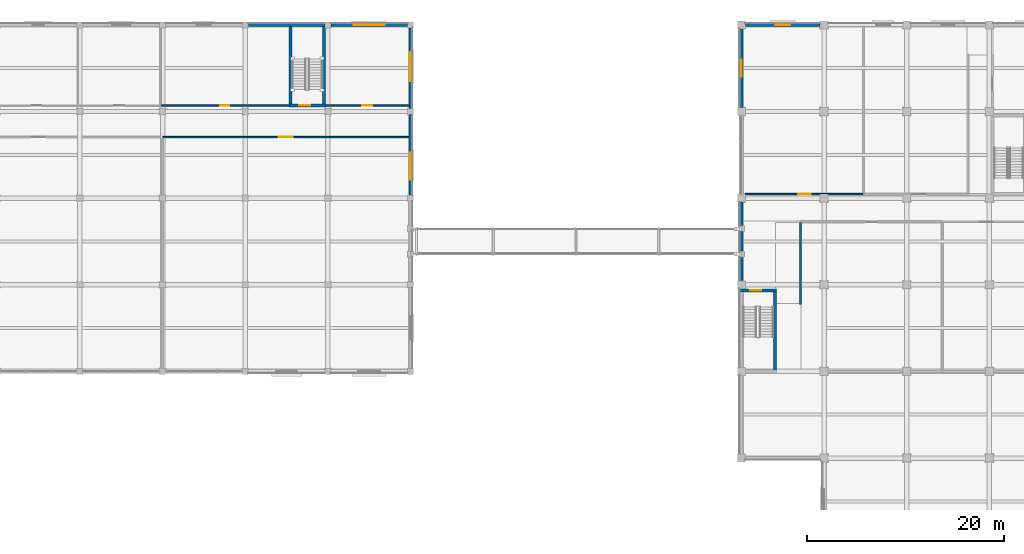
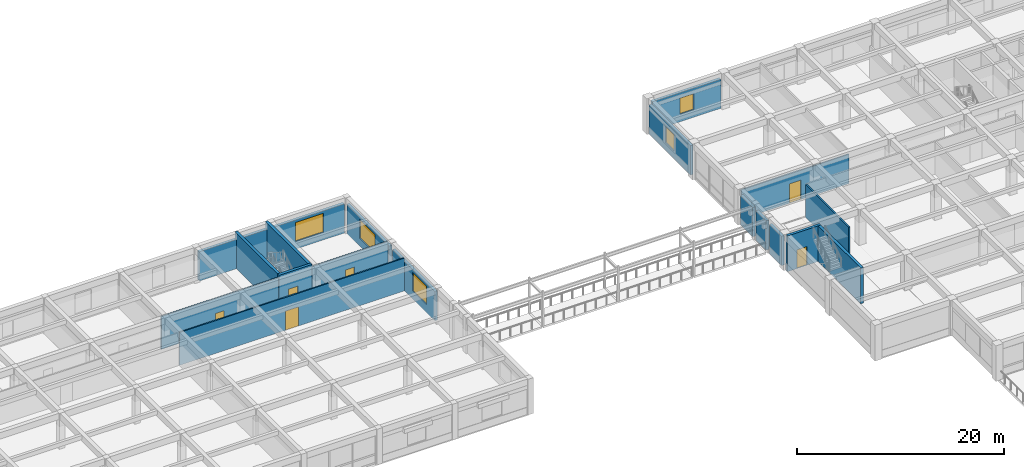
# One storey, part 38 of 57: 19 walls, 6 doors, 5 windows, 11 openings.
"""IFC4 building model written with IfcOpenShell, lengths in metres."""

from ifc_helpers import new_model, si_unit, direction, frame, frame_2d, origin, place, context, subcontext, project, spatial, rectangle, extrude, material, layer, layer_set, type_object, element, fill, save


model = new_model("IFC4")

# Units and contexts
model_context = context("Model", 3, precision=1e-05, world=origin(), true_north=direction((0.0, 1.0)))
body_context = subcontext(model_context, "Body", "Model", "MODEL_VIEW")
ifc_project = project(units=[si_unit("LENGTHUNIT", "METRE"), si_unit("AREAUNIT", "SQUARE_METRE"), si_unit("VOLUMEUNIT", "CUBIC_METRE"), si_unit("PLANEANGLEUNIT", "RADIAN"), si_unit("MASSUNIT", "GRAM", prefix="KILO")], contexts=[model_context])

# Site, building, storey
site_placement = place(None, origin())
site = spatial("IfcSite", under=ifc_project, at=site_placement, CompositionType="ELEMENT")
building_placement = place(site_placement, origin())
building = spatial("IfcBuilding", under=site, at=building_placement, Name="Kemercrest Conservatory and Botanical Centre", CompositionType="ELEMENT")
storey_placement = place(building_placement, frame((0.0, 0.0, 4.800048828125)))
storey = spatial("IfcBuildingStorey", under=building, at=storey_placement, Name="L01", CompositionType="ELEMENT", Elevation=4.800048828125)

# Wall
ifc_material_1 = material(Name="Precast concrete C40/50", Category="concrete")
ifc_layer_1 = layer(ifc_material_1, 0.300048828125)
ifc_layer_set_1 = layer_set([ifc_layer_1], Name="Precast concrete C40/50")
wall_type_1 = type_object("IfcWallType", Name="CW-EXT300", PredefinedType="SHEAR", material=ifc_layer_set_1)
wall_1_placement = place(storey_placement, frame((83.2900390625, 122.39990234375, 0.0), z_axis=(0.0, 0.0, 1.0), x_axis=(-1.0, 0.0, 0.0)))
element("IfcWall", 1, at=wall_1_placement, inside=storey, type_object=wall_type_1, Name="Exterior stair-core shear wall CW-EXT300 (WAL:L01:EXT-105)", PredefinedType="SHEAR", context=body_context, shape_type="SweptSolid", body=[
    extrude(rectangle(XDim=7.780029296875, YDim=0.300048828125, at=frame_2d((3.89013671875, 0.0))), origin(), (0.0, 0.0, 1.0), 3.449951171875),
])

# Wall, opening, door
ifc_material_2 = material(Name="Concrete C50/60", Category="concrete")
ifc_layer_2 = layer(ifc_material_2, 0.300048828125)
ifc_layer_set_2 = layer_set([ifc_layer_2], Name="Concrete C50/60")
wall_type_2 = type_object("IfcWallType", Name="CW-STAIR", PredefinedType="SHEAR", material=ifc_layer_set_2)
wall_2_placement = place(storey_placement, frame((79.64990234375, 114.199951171875, 0.0), z_axis=(0.0, 0.0, 1.0), x_axis=(1.0, 0.0, 0.0)))
wall_2 = element("IfcWall", 2, at=wall_2_placement, inside=storey, type_object=wall_type_2, Name="Stair core ST-V3B shear wall S", PredefinedType="SHEAR", context=body_context, shape_type="SweptSolid", body=[
    extrude(rectangle(XDim=3.7001953125, YDim=0.300048828125, at=frame_2d((1.85009765625, 0.0))), origin(), (0.0, 0.0, 1.0), 4.199951171875),
])
opening_1_placement = place(wall_2_placement, frame((1.050048828125, 0.0, 0.0)))
opening_1 = element("IfcOpeningElement", 3, at=opening_1_placement, cuts=wall_2, Name="Opening D022", PredefinedType="OPENING", context=body_context, shape_type="SweptSolid", body=[
    extrude(rectangle(XDim=1.10009765625, YDim=2.199951171875, at=frame_2d((0.550048828125, 1.10009765625))), frame((0.0, 0.16015625, 0.0), z_axis=(0.0, -1.0, 0.0), x_axis=(1.0, 0.0, 0.0)), (0.0, 0.0, 1.0), 0.320068359375),
])
ifc_material_3 = material(Name="Powder-coated galvanized steel and fire-rated vision glass", Category="steel")
door_type_1 = type_object("IfcDoorType", Name="DT-FD90", OperationType="NOTDEFINED", PredefinedType="DOOR", material=ifc_material_3)
door_1_placement = place(opening_1_placement, origin())
door_1 = element("IfcDoor", 4, at=door_1_placement, inside=storey, type_object=door_type_1, Name="Exit stair ST-V3B fire door D022", OperationType="SINGLE_SWING_RIGHT", OverallHeight=2.199951171875, OverallWidth=1.10009765625, PredefinedType="DOOR", context=body_context, shape_type="SweptSolid", body=[
    extrude(rectangle(XDim=1.10009765625, YDim=2.199951171875, at=frame_2d((0.550048828125, 1.10009765625))), frame((0.0, 0.02490234375, 0.0), z_axis=(0.0, -1.0, 0.0), x_axis=(1.0, 0.0, 0.0)), (0.0, 0.0, 1.0), 0.050048828125),
])
fill(opening_1, door_1)

# Walls
for number, where, z_axis, x_axis, name in (
    (5, (79.800048828125, 114.050048828125, 0.0), (0.0, 0.0, 1.0), (0.0, 1.0, 0.0), "Stair core ST-V3B shear wall W"),
    (6, (83.199951171875, 114.050048828125, 0.0), (0.0, 0.0, 1.0), (0.0, 1.0, 0.0), "Stair core ST-V3B shear wall E"),
):
    element("IfcWall", number, at=place(storey_placement, frame(where, z_axis=z_axis, x_axis=x_axis)), inside=storey, type_object=wall_type_2, Name=name, PredefinedType="SHEAR", context=body_context, shape_type="SweptSolid", body=[
        extrude(rectangle(XDim=8.5, YDim=0.300048828125, at=frame_2d((4.25, 0.0))), origin(), (0.0, 0.0, 1.0), 4.199951171875),
    ])

# Wall, opening, door
wall_3_placement = place(storey_placement, frame((125.449951171875, 95.39990234375, 0.0), z_axis=(0.0, 0.0, 1.0), x_axis=(1.0, 0.0, 0.0)))
wall_3 = element("IfcWall", 7, at=wall_3_placement, inside=storey, type_object=wall_type_2, Name="Stair core ST-V4C shear wall N", PredefinedType="SHEAR", context=body_context, shape_type="SweptSolid", body=[
    extrude(rectangle(XDim=3.699951171875, YDim=0.300048828125, at=frame_2d((1.85009765625, 0.0))), origin(), (0.0, 0.0, 1.0), 4.199951171875),
])
opening_2_placement = place(wall_3_placement, frame((1.050048828125, 0.0, 0.0)))
opening_2 = element("IfcOpeningElement", 8, at=opening_2_placement, cuts=wall_3, Name="Opening D065", PredefinedType="OPENING", context=body_context, shape_type="SweptSolid", body=[
    extrude(rectangle(XDim=1.10009765625, YDim=2.199951171875, at=frame_2d((0.550048828125, 1.10009765625))), frame((0.0, 0.16015625, 0.0), z_axis=(0.0, -1.0, 0.0), x_axis=(1.0, 0.0, 0.0)), (0.0, 0.0, 1.0), 0.320068359375),
])
door_2_placement = place(opening_2_placement, origin())
door_2 = element("IfcDoor", 9, at=door_2_placement, inside=storey, type_object=door_type_1, Name="Exit stair ST-V4C fire door D065", OperationType="SINGLE_SWING_LEFT", OverallHeight=2.199951171875, OverallWidth=1.10009765625, PredefinedType="DOOR", context=body_context, shape_type="SweptSolid", body=[
    extrude(rectangle(XDim=1.10009765625, YDim=2.199951171875, at=frame_2d((0.550048828125, 1.10009765625))), frame((0.0, 0.02490234375, 0.0), z_axis=(0.0, -1.0, 0.0), x_axis=(1.0, 0.0, 0.0)), (0.0, 0.0, 1.0), 0.050048828125),
])
fill(opening_2, door_2)

# Wall
wall_4_placement = place(storey_placement, frame((129.0, 87.050048828125, 0.0), z_axis=(0.0, 0.0, 1.0), x_axis=(0.0, 1.0, 0.0)))
element("IfcWall", 10, at=wall_4_placement, inside=storey, type_object=wall_type_2, Name="Stair core ST-V4C shear wall E", PredefinedType="SHEAR", context=body_context, shape_type="SweptSolid", body=[
    extrude(rectangle(XDim=8.5, YDim=0.300048828125, at=frame_2d((4.25, 0.0))), origin(), (0.0, 0.0, 1.0), 4.199951171875),
])

# Wall, opening, window
ifc_layer_3 = layer(ifc_material_1, 0.300048828125)
ifc_layer_set_3 = layer_set([ifc_layer_3], Name="Precast concrete C40/50")
wall_type_3 = type_object("IfcWallType", Name="W-EXT300", PredefinedType="SOLIDWALL", material=ifc_layer_set_3)
wall_5_placement = place(storey_placement, frame((92.0, 105.110107421875, 0.0), z_axis=(0.0, 0.0, 1.0), x_axis=(0.0, 1.0, 0.0)))
wall_5 = element("IfcWall", 11, at=wall_5_placement, inside=storey, type_object=wall_type_3, Name="Exterior almasik wall W-EXT300 (WAL:L01:EXT-102)", PredefinedType="SOLIDWALL", context=body_context, shape_type="SweptSolid", body=[
    extrude(rectangle(XDim=8.179931640625, YDim=0.300048828125, at=frame_2d((4.08984375, 0.0))), origin(), (0.0, 0.0, 1.0), 3.449951171875),
])
opening_3_placement = place(wall_5_placement, frame((1.574951171875, 0.0, 0.89990234375)))
opening_3 = element("IfcOpeningElement", 12, at=opening_3_placement, cuts=wall_5, Name="Opening WT-55", PredefinedType="OPENING", context=body_context, shape_type="SweptSolid", body=[
    extrude(rectangle(XDim=2.739990234375, YDim=2.199951171875, at=frame_2d((1.3701171875, 1.10009765625))), frame((0.0, 0.16015625, 0.0), z_axis=(0.0, -1.0, 0.0), x_axis=(1.0, 0.0, 0.0)), (0.0, 0.0, 1.0), 0.320068359375),
])
ifc_material_4 = material(Name="Thermally broken bronze-anodized aluminium and triple glazing", Category="aluminium")
window_type_1 = type_object("IfcWindowType", Name="WT-55", PartitioningType="SINGLE_PANEL", PredefinedType="WINDOW", material=ifc_material_4)
window_1_placement = place(opening_3_placement, origin())
window_1 = element("IfcWindow", 13, at=window_1_placement, inside=storey, type_object=window_type_1, Name="Exterior window WT-55 (WIN:L01:EXT-102)", OverallHeight=2.199951171875, OverallWidth=2.739990234375, PartitioningType="SINGLE_PANEL", PredefinedType="WINDOW", context=body_context, shape_type="SweptSolid", body=[
    extrude(rectangle(XDim=2.739990234375, YDim=2.199951171875, at=frame_2d((1.3701171875, 1.10009765625))), frame((0.0, 0.030029296875, 0.0), z_axis=(0.0, -1.0, 0.0), x_axis=(1.0, 0.0, 0.0)), (0.0, 0.0, 1.0), 0.06005859375),
])
fill(opening_3, window_1)

wall_6_placement = place(storey_placement, frame((92.0, 113.909912109375, 0.0), z_axis=(0.0, 0.0, 1.0), x_axis=(0.0, 1.0, 0.0)))
wall_6 = element("IfcWall", 14, at=wall_6_placement, inside=storey, type_object=wall_type_3, Name="Exterior almasik wall W-EXT300 (WAL:L01:EXT-103)", PredefinedType="SOLIDWALL", context=body_context, shape_type="SweptSolid", body=[
    extrude(rectangle(XDim=8.18017578125, YDim=0.300048828125, at=frame_2d((4.090087890625, 0.0))), origin(), (0.0, 0.0, 1.0), 3.449951171875),
])
opening_4_placement = place(wall_6_placement, frame((2.764892578125, 0.0, 0.89990234375)))
opening_4 = element("IfcOpeningElement", 15, at=opening_4_placement, cuts=wall_6, Name="Opening WT-56", PredefinedType="OPENING", context=body_context, shape_type="SweptSolid", body=[
    extrude(rectangle(XDim=2.93994140625, YDim=2.219970703125, at=frame_2d((1.469970703125, 1.10986328125))), frame((0.0, 0.16015625, 0.0), z_axis=(0.0, -1.0, 0.0), x_axis=(1.0, 0.0, 0.0)), (0.0, 0.0, 1.0), 0.320068359375),
])
window_type_2 = type_object("IfcWindowType", Name="WT-56", PartitioningType="SINGLE_PANEL", PredefinedType="WINDOW", material=ifc_material_4)
window_2_placement = place(opening_4_placement, origin())
window_2 = element("IfcWindow", 16, at=window_2_placement, inside=storey, type_object=window_type_2, Name="Exterior window WT-56 (WIN:L01:EXT-103)", OverallHeight=2.219970703125, OverallWidth=2.93994140625, PartitioningType="SINGLE_PANEL", PredefinedType="WINDOW", context=body_context, shape_type="SweptSolid", body=[
    extrude(rectangle(XDim=2.93994140625, YDim=2.219970703125, at=frame_2d((1.469970703125, 1.10986328125))), frame((0.0, 0.030029296875, 0.0), z_axis=(0.0, -1.0, 0.0), x_axis=(1.0, 0.0, 0.0)), (0.0, 0.0, 1.0), 0.06005859375),
])
fill(opening_4, window_2)

wall_7_placement = place(storey_placement, frame((91.68994140625, 122.39990234375, 0.0), z_axis=(0.0, 0.0, 1.0), x_axis=(-1.0, 0.0, 0.0)))
wall_7 = element("IfcWall", 17, at=wall_7_placement, inside=storey, type_object=wall_type_3, Name="Exterior almasik wall W-EXT300 (WAL:L01:EXT-104)", PredefinedType="SOLIDWALL", context=body_context, shape_type="SweptSolid", body=[
    extrude(rectangle(XDim=7.780029296875, YDim=0.300048828125, at=frame_2d((3.89013671875, 0.0))), origin(), (0.0, 0.0, 1.0), 3.449951171875),
])
opening_5_placement = place(wall_7_placement, frame((2.320068359375, 0.0, 0.89990234375)))
opening_5 = element("IfcOpeningElement", 18, at=opening_5_placement, cuts=wall_7, Name="Opening WT-57", PredefinedType="OPENING", context=body_context, shape_type="SweptSolid", body=[
    extrude(rectangle(XDim=3.139892578125, YDim=2.239990234375, at=frame_2d((1.56982421875, 1.1201171875))), frame((0.0, 0.16015625, 0.0), z_axis=(0.0, -1.0, 0.0), x_axis=(1.0, 0.0, 0.0)), (0.0, 0.0, 1.0), 0.320068359375),
])
window_type_3 = type_object("IfcWindowType", Name="WT-57", PartitioningType="SINGLE_PANEL", PredefinedType="WINDOW", material=ifc_material_4)
window_3_placement = place(opening_5_placement, origin())
window_3 = element("IfcWindow", 19, at=window_3_placement, inside=storey, type_object=window_type_3, Name="Exterior window WT-57 (WIN:L01:EXT-104)", OverallHeight=2.239990234375, OverallWidth=3.139892578125, PartitioningType="SINGLE_PANEL", PredefinedType="WINDOW", context=body_context, shape_type="SweptSolid", body=[
    extrude(rectangle(XDim=3.139892578125, YDim=2.239990234375, at=frame_2d((1.56982421875, 1.1201171875))), frame((0.0, 0.030029296875, 0.0), z_axis=(0.0, -1.0, 0.0), x_axis=(1.0, 0.0, 0.0)), (0.0, 0.0, 1.0), 0.06005859375),
])
fill(opening_5, window_3)

wall_8_placement = place(storey_placement, frame((133.590087890625, 122.39990234375, 0.0), z_axis=(0.0, 0.0, 1.0), x_axis=(-1.0, 0.0, 0.0)))
wall_8 = element("IfcWall", 20, at=wall_8_placement, inside=storey, type_object=wall_type_3, Name="Exterior almasik wall W-EXT300 (WAL:L01:EXT-186)", PredefinedType="SOLIDWALL", context=body_context, shape_type="SweptSolid", body=[
    extrude(rectangle(XDim=7.580078125, YDim=0.300048828125, at=frame_2d((3.7900390625, 0.0))), origin(), (0.0, 0.0, 1.0), 3.449951171875),
])
opening_6_placement = place(wall_8_placement, frame((3.010009765625, 0.0, 0.89990234375)))
opening_6 = element("IfcOpeningElement", 21, at=opening_6_placement, cuts=wall_8, Name="Opening WT-31", PredefinedType="OPENING", context=body_context, shape_type="SweptSolid", body=[
    extrude(rectangle(XDim=1.56005859375, YDim=1.8798828125, at=frame_2d((0.780029296875, 0.93994140625))), frame((0.0, 0.16015625, 0.0), z_axis=(0.0, -1.0, 0.0), x_axis=(1.0, 0.0, 0.0)), (0.0, 0.0, 1.0), 0.320068359375),
])
window_type_4 = type_object("IfcWindowType", Name="WT-31", PartitioningType="SINGLE_PANEL", PredefinedType="WINDOW", material=ifc_material_4)
window_4_placement = place(opening_6_placement, origin())
window_4 = element("IfcWindow", 22, at=window_4_placement, inside=storey, type_object=window_type_4, Name="Exterior window WT-31 (WIN:L01:EXT-186)", OverallHeight=1.8798828125, OverallWidth=1.56005859375, PartitioningType="SINGLE_PANEL", PredefinedType="WINDOW", context=body_context, shape_type="SweptSolid", body=[
    extrude(rectangle(XDim=1.56005859375, YDim=1.8798828125, at=frame_2d((0.780029296875, 0.93994140625))), frame((0.0, 0.030029296875, 0.0), z_axis=(0.0, -1.0, 0.0), x_axis=(1.0, 0.0, 0.0)), (0.0, 0.0, 1.0), 0.06005859375),
])
fill(opening_6, window_4)

wall_9_placement = place(storey_placement, frame((125.60009765625, 121.989990234375, 0.0), z_axis=(0.0, 0.0, 1.0), x_axis=(0.0, -1.0, 0.0)))
wall_9 = element("IfcWall", 23, at=wall_9_placement, inside=storey, type_object=wall_type_3, Name="Exterior almasik wall W-EXT300 (WAL:L01:EXT-187)", PredefinedType="SOLIDWALL", context=body_context, shape_type="SweptSolid", body=[
    extrude(rectangle(XDim=7.97998046875, YDim=0.300048828125, at=frame_2d((3.989990234375, 0.0))), origin(), (0.0, 0.0, 1.0), 3.449951171875),
])
opening_7_placement = place(wall_9_placement, frame((3.1298828125, 0.0, 0.89990234375)))
opening_7 = element("IfcOpeningElement", 24, at=opening_7_placement, cuts=wall_9, Name="Opening WT-32", PredefinedType="OPENING", context=body_context, shape_type="SweptSolid", body=[
    extrude(rectangle(XDim=1.719970703125, YDim=1.919921875, at=frame_2d((0.85986328125, 0.9599609375))), frame((0.0, 0.16015625, 0.0), z_axis=(0.0, -1.0, 0.0), x_axis=(1.0, 0.0, 0.0)), (0.0, 0.0, 1.0), 0.320068359375),
])
window_type_5 = type_object("IfcWindowType", Name="WT-32", PartitioningType="SINGLE_PANEL", PredefinedType="WINDOW", material=ifc_material_4)
window_5_placement = place(opening_7_placement, origin())
window_5 = element("IfcWindow", 25, at=window_5_placement, inside=storey, type_object=window_type_5, Name="Exterior window WT-32 (WIN:L01:EXT-187)", OverallHeight=1.919921875, OverallWidth=1.719970703125, PartitioningType="SINGLE_PANEL", PredefinedType="WINDOW", context=body_context, shape_type="SweptSolid", body=[
    extrude(rectangle(XDim=1.719970703125, YDim=1.919921875, at=frame_2d((0.85986328125, 0.9599609375))), frame((0.0, 0.030029296875, 0.0), z_axis=(0.0, -1.0, 0.0), x_axis=(1.0, 0.0, 0.0)), (0.0, 0.0, 1.0), 0.06005859375),
])
fill(opening_7, window_5)

# Walls
wall_10_placement = place(storey_placement, frame((125.60009765625, 104.389892578125, 0.0), z_axis=(0.0, 0.0, 1.0), x_axis=(0.0, -1.0, 0.0)))
element("IfcWall", 26, at=wall_10_placement, inside=storey, type_object=wall_type_3, Name="Exterior almasik wall W-EXT300 (WAL:L01:EXT-188-S1)", PredefinedType="SOLIDWALL", context=body_context, shape_type="SweptSolid", body=[
    extrude(rectangle(XDim=2.3798828125, YDim=0.300048828125, at=frame_2d((1.18994140625, 0.0))), origin(), (0.0, 0.0, 1.0), 3.449951171875),
])
wall_11_placement = place(storey_placement, frame((125.60009765625, 101.389892578125, 0.0), z_axis=(0.0, 0.0, 1.0), x_axis=(0.0, -1.0, 0.0)))
element("IfcWall", 27, at=wall_11_placement, inside=storey, type_object=wall_type_3, Name="Exterior almasik wall W-EXT300 (WAL:L01:EXT-188-S2)", PredefinedType="SOLIDWALL", context=body_context, shape_type="SweptSolid", body=[
    extrude(rectangle(XDim=1.97998046875, YDim=0.300048828125, at=frame_2d((0.989990234375, 0.0))), origin(), (0.0, 0.0, 1.0), 3.449951171875),
])
wall_12_placement = place(storey_placement, frame((125.60009765625, 98.7900390625, 0.0), z_axis=(0.0, 0.0, 1.0), x_axis=(0.0, -1.0, 0.0)))
element("IfcWall", 28, at=wall_12_placement, inside=storey, type_object=wall_type_3, Name="Exterior almasik wall W-EXT300 (WAL:L01:EXT-188-S3)", PredefinedType="SOLIDWALL", context=body_context, shape_type="SweptSolid", body=[
    extrude(rectangle(XDim=2.380126953125, YDim=0.300048828125, at=frame_2d((1.18994140625, 0.0))), origin(), (0.0, 0.0, 1.0), 3.449951171875),
])

# Wall, opening, door
ifc_material_5 = material(Name="Steel-stud gypsum board partition", Category="steel")
ifc_layer_4 = layer(ifc_material_5, 0.14990234375)
ifc_layer_set_4 = layer_set([ifc_layer_4], Name="Steel-stud gypsum board partition")
wall_type_4 = type_object("IfcWallType", Name="W-PART150", PredefinedType="PARTITIONING", material=ifc_layer_set_4)
wall_13_placement = place(storey_placement, frame((66.800048828125, 111.0, 0.0), z_axis=(0.0, 0.0, 1.0), x_axis=(1.0, 0.0, 0.0)))
wall_13 = element("IfcWall", 29, at=wall_13_placement, inside=storey, type_object=wall_type_4, Name="Interior partition W-PART150 #73", PredefinedType="PARTITIONING", context=body_context, shape_type="SweptSolid", body=[
    extrude(rectangle(XDim=25.044921875, YDim=0.14990234375, at=frame_2d((12.5224609375, 0.0))), origin(), (0.0, 0.0, 1.0), 3.864990234375),
])
opening_8_placement = place(wall_13_placement, frame((11.802490234375, 0.0, 0.0)))
opening_8 = element("IfcOpeningElement", 30, at=opening_8_placement, cuts=wall_13, Name="Opening D149", PredefinedType="OPENING", context=body_context, shape_type="SweptSolid", body=[
    extrude(rectangle(XDim=1.43994140625, YDim=2.260009765625, at=frame_2d((0.719970703125, 1.1298828125))), frame((0.0, 0.0849609375, 0.0), z_axis=(0.0, -1.0, 0.0), x_axis=(1.0, 0.0, 0.0)), (0.0, 0.0, 1.0), 0.169921875),
])
ifc_material_6 = material(Name="FSC solid-core white oak veneer and anodized aluminium frame", Category="aluminium")
door_type_2 = type_object("IfcDoorType", Name="DT-29", OperationType="DOUBLE_DOOR_SINGLE_SWING", PredefinedType="DOOR", material=ifc_material_6)
door_3_placement = place(opening_8_placement, origin())
door_3 = element("IfcDoor", 31, at=door_3_placement, inside=storey, type_object=door_type_2, Name="Botanical Illustration Studio door D149", OperationType="DOUBLE_DOOR_SINGLE_SWING", OverallHeight=2.260009765625, OverallWidth=1.43994140625, PredefinedType="DOOR", context=body_context, shape_type="SweptSolid", body=[
    extrude(rectangle(XDim=1.43994140625, YDim=2.260009765625, at=frame_2d((0.719970703125, 1.1298828125))), frame((0.0, 0.02490234375, 0.0), z_axis=(0.0, -1.0, 0.0), x_axis=(1.0, 0.0, 0.0)), (0.0, 0.0, 1.0), 0.050048828125),
])
fill(opening_8, door_3)

wall_14_placement = place(storey_placement, frame((66.60009765625, 114.199951171875, 0.0), z_axis=(0.0, 0.0, 1.0), x_axis=(1.0, 0.0, 0.0)))
wall_14 = element("IfcWall", 32, at=wall_14_placement, inside=storey, type_object=wall_type_4, Name="Interior partition W-PART150 #77", PredefinedType="PARTITIONING", context=body_context, shape_type="SweptSolid", body=[
    extrude(rectangle(XDim=13.044921875, YDim=0.14990234375, at=frame_2d((6.5224609375, 0.0))), origin(), (0.0, 0.0, 1.0), 3.864990234375),
])
opening_9_placement = place(wall_14_placement, frame((6.052490234375, 0.0, 0.0)))
opening_9 = element("IfcOpeningElement", 33, at=opening_9_placement, cuts=wall_14, Name="Opening D153", PredefinedType="OPENING", context=body_context, shape_type="SweptSolid", body=[
    extrude(rectangle(XDim=0.93994140625, YDim=2.1201171875, at=frame_2d((0.469970703125, 1.06005859375))), frame((0.0, 0.0849609375, 0.0), z_axis=(0.0, -1.0, 0.0), x_axis=(1.0, 0.0, 0.0)), (0.0, 0.0, 1.0), 0.169921875),
])
door_type_3 = type_object("IfcDoorType", Name="DT-33", OperationType="NOTDEFINED", PredefinedType="DOOR", material=ifc_material_6)
door_4_placement = place(opening_9_placement, origin())
door_4 = element("IfcDoor", 34, at=door_4_placement, inside=storey, type_object=door_type_3, Name="Curriculum Preparation Studio door D153", OperationType="SINGLE_SWING_LEFT", OverallHeight=2.1201171875, OverallWidth=0.93994140625, PredefinedType="DOOR", context=body_context, shape_type="SweptSolid", body=[
    extrude(rectangle(XDim=0.93994140625, YDim=2.1201171875, at=frame_2d((0.469970703125, 1.06005859375))), frame((0.0, 0.02490234375, 0.0), z_axis=(0.0, -1.0, 0.0), x_axis=(1.0, 0.0, 0.0)), (0.0, 0.0, 1.0), 0.050048828125),
])
fill(opening_9, door_4)

wall_15_placement = place(storey_placement, frame((83.35498046875, 114.199951171875, 0.0), z_axis=(0.0, 0.0, 1.0), x_axis=(1.0, 0.0, 0.0)))
wall_15 = element("IfcWall", 35, at=wall_15_placement, inside=storey, type_object=wall_type_4, Name="Interior partition W-PART150 #78", PredefinedType="PARTITIONING", context=body_context, shape_type="SweptSolid", body=[
    extrude(rectangle(XDim=8.489990234375, YDim=0.14990234375, at=frame_2d((4.2451171875, 0.0))), origin(), (0.0, 0.0, 1.0), 3.864990234375),
])
opening_10_placement = place(wall_15_placement, frame((3.7451171875, 0.0, 0.0)))
opening_10 = element("IfcOpeningElement", 36, at=opening_10_placement, cuts=wall_15, Name="Opening D154", PredefinedType="OPENING", context=body_context, shape_type="SweptSolid", body=[
    extrude(rectangle(XDim=1.0, YDim=2.159912109375, at=frame_2d((0.5, 1.080078125))), frame((0.0, 0.0849609375, 0.0), z_axis=(0.0, -1.0, 0.0), x_axis=(1.0, 0.0, 0.0)), (0.0, 0.0, 1.0), 0.169921875),
])
door_type_4 = type_object("IfcDoorType", Name="DT-34", OperationType="NOTDEFINED", PredefinedType="DOOR", material=ifc_material_6)
door_5_placement = place(opening_10_placement, origin())
door_5 = element("IfcDoor", 37, at=door_5_placement, inside=storey, type_object=door_type_4, Name="Education Coordinator Office door D154", OperationType="SINGLE_SWING_RIGHT", OverallHeight=2.159912109375, OverallWidth=1.0, PredefinedType="DOOR", context=body_context, shape_type="SweptSolid", body=[
    extrude(rectangle(XDim=1.0, YDim=2.159912109375, at=frame_2d((0.5, 1.080078125))), frame((0.0, 0.02490234375, 0.0), z_axis=(0.0, -1.0, 0.0), x_axis=(1.0, 0.0, 0.0)), (0.0, 0.0, 1.0), 0.050048828125),
])
fill(opening_10, door_5)

wall_16_placement = place(storey_placement, frame((126.0, 105.199951171875, 0.0), z_axis=(0.0, 0.0, 1.0), x_axis=(1.0, 0.0, 0.0)))
wall_16 = element("IfcWall", 38, at=wall_16_placement, inside=storey, type_object=wall_type_4, Name="Interior partition W-PART150 #82", PredefinedType="PARTITIONING", context=body_context, shape_type="SweptSolid", body=[
    extrude(rectangle(XDim=12.0, YDim=0.14990234375, at=frame_2d((6.0, 0.0))), origin(), (0.0, 0.0, 1.0), 3.445068359375),
])
opening_11_placement = place(wall_16_placement, frame((5.3701171875, 0.0, 0.0)))
opening_11 = element("IfcOpeningElement", 39, at=opening_11_placement, cuts=wall_16, Name="Opening D158", PredefinedType="OPENING", context=body_context, shape_type="SweptSolid", body=[
    extrude(rectangle(XDim=1.260009765625, YDim=2.280029296875, at=frame_2d((0.6298828125, 1.14013671875))), frame((0.0, 0.0849609375, 0.0), z_axis=(0.0, -1.0, 0.0), x_axis=(1.0, 0.0, 0.0)), (0.0, 0.0, 1.0), 0.169921875),
])
door_type_5 = type_object("IfcDoorType", Name="DT-38", OperationType="NOTDEFINED", PredefinedType="DOOR", material=ifc_material_6)
door_6_placement = place(opening_11_placement, origin())
door_6 = element("IfcDoor", 40, at=door_6_placement, inside=storey, type_object=door_type_5, Name="Research Write-Up Office door D158", OperationType="SINGLE_SWING_RIGHT", OverallHeight=2.280029296875, OverallWidth=1.260009765625, PredefinedType="DOOR", context=body_context, shape_type="SweptSolid", body=[
    extrude(rectangle(XDim=1.260009765625, YDim=2.280029296875, at=frame_2d((0.6298828125, 1.14013671875))), frame((0.0, 0.02490234375, 0.0), z_axis=(0.0, -1.0, 0.0), x_axis=(1.0, 0.0, 0.0)), (0.0, 0.0, 1.0), 0.050048828125),
])
fill(opening_11, door_6)

# Wall
ifc_material_7 = material(Name="Acoustic steel-stud gypsum board assembly", Category="steel")
ifc_layer_5 = layer(ifc_material_7, 0.179931640625)
ifc_layer_set_5 = layer_set([ifc_layer_5], Name="Acoustic steel-stud gypsum board assembly")
wall_type_5 = type_object("IfcWallType", Name="W-PART180", PredefinedType="PARTITIONING", material=ifc_layer_set_5)
wall_17_placement = place(storey_placement, frame((131.60009765625, 94.0, 0.0), z_axis=(0.0, 0.0, 1.0), x_axis=(0.0, 1.0, 0.0)))
element("IfcWall", 41, at=wall_17_placement, inside=storey, type_object=wall_type_5, Name="Interior partition W-PART180 #86", PredefinedType="PARTITIONING", context=body_context, shape_type="SweptSolid", body=[
    extrude(rectangle(XDim=8.304931640625, YDim=0.179931640625, at=frame_2d((4.15234375, 0.0))), origin(), (0.0, 0.0, 1.0), 3.864990234375),
])

save(model, "model.ifc")
